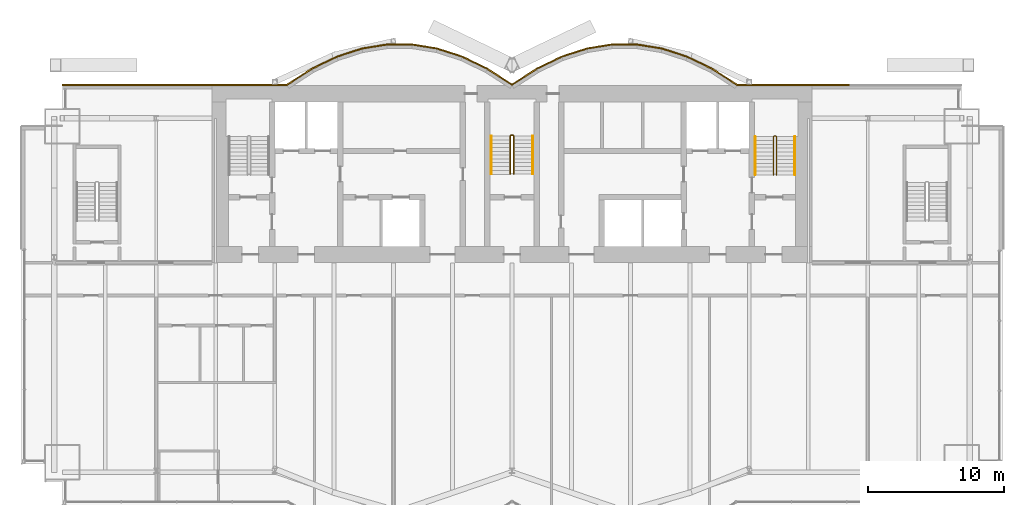
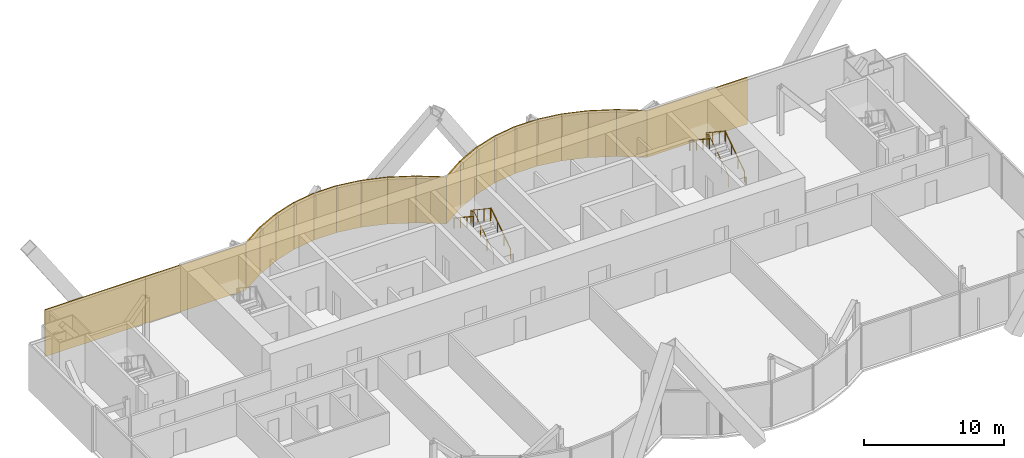
# One storey, part 19 of 20: 21 coverings, 6 railings.
"""IFC4 building model written with IfcOpenShell, lengths in metres."""

from ifc_helpers import new_model, si_unit, direction, frame, origin, origin_2d, place, context, subcontext, project, spatial, rectangle, circle, extrude, material, layer, layer_set, type_object, element, save


model = new_model("IFC4")

# Units and contexts
model_context = context("Model", 3, precision=1e-05, world=origin(), true_north=direction((0.0, 1.0)))
body_context = subcontext(model_context, "Body", "Model", "MODEL_VIEW")
ifc_project = project(units=[si_unit("LENGTHUNIT", "METRE"), si_unit("AREAUNIT", "SQUARE_METRE"), si_unit("VOLUMEUNIT", "CUBIC_METRE"), si_unit("PLANEANGLEUNIT", "RADIAN"), si_unit("MASSUNIT", "GRAM", prefix="KILO")], contexts=[model_context])

# Site, building, storey
site_placement = place(None, origin())
site = spatial("IfcSite", under=ifc_project, at=site_placement, CompositionType="ELEMENT")
building_placement = place(site_placement, origin())
building = spatial("IfcBuilding", under=site, at=building_placement, Name="Bicima Exchange Tower", CompositionType="ELEMENT")
storey_placement = place(building_placement, frame((0.0, 0.0, 231.89990234375)))
storey = spatial("IfcBuildingStorey", under=building, at=storey_placement, Name="L52", CompositionType="ELEMENT", Elevation=231.89990234375)

# Coverings
ifc_material_1 = material(Name="Bronze metal cladding")
ifc_layer_1 = layer(ifc_material_1, 0.004)
ifc_material_2 = material(Name="Ventilated cavity")
ifc_layer_2 = layer(ifc_material_2, 0.06)
ifc_material_3 = material(Name="Galvanised steel rail and mineral wool", Category="steel")
ifc_layer_3 = layer(ifc_material_3, 0.036)
ifc_layer_set = layer_set([ifc_layer_1, ifc_layer_2, ifc_layer_3], Name="Ventilated cavity")
covering_type = type_object("IfcCoveringType", Name="Bronze metal cladding panel 100", PredefinedType="CLADDING", material=ifc_layer_set)
covering_1_placement = place(storey_placement, frame((20.625, 0.050048828125, -0.14990234375), z_axis=(0.0, 0.0, 1.0), x_axis=(-1.0, 0.0, 0.0)))
element("IfcCovering", 1, at=covering_1_placement, inside=storey, type_object=covering_type, Name="Bronze cladding L52 1.2", PredefinedType="CLADDING", context=body_context, shape_type="SweptSolid", body=[
    extrude(rectangle(XDim=8.25, YDim=0.10009765625, at=origin_2d()), origin(), (0.0, 0.0, 1.0), 4.050048828125),
])
covering_2_placement = place(storey_placement, frame((15.610595703125, 0.634521484375, -0.14990234375), z_axis=(0.0, 0.0, 1.0), x_axis=(-0.839790466384, 0.542910648791, 0.0)))
element("IfcCovering", 2, at=covering_2_placement, inside=storey, type_object=covering_type, Name="Bronze cladding L52 2.1", PredefinedType="CLADDING", context=body_context, shape_type="SweptSolid", body=[
    extrude(rectangle(XDim=2.18310546875, YDim=0.10009765625, at=origin_2d()), origin(), (0.0, 0.0, 1.0), 4.050048828125),
])
covering_3_placement = place(storey_placement, frame((13.771728515625, 1.674560546875, -0.14990234375), z_axis=(0.0, 0.0, 1.0), x_axis=(-0.899818346812, 0.436264762204, 0.0)))
element("IfcCovering", 3, at=covering_3_placement, inside=storey, type_object=covering_type, Name="Bronze cladding L52 3.1", PredefinedType="CLADDING", context=body_context, shape_type="SweptSolid", body=[
    extrude(rectangle(XDim=2.03759765625, YDim=0.10009765625, at=origin_2d()), origin(), (0.0, 0.0, 1.0), 4.050048828125),
])
covering_4_placement = place(storey_placement, frame((11.931884765625, 2.41796875, -0.14990234375), z_axis=(0.0, 0.0, 1.0), x_axis=(-0.951524642381, 0.307572519808, 0.0)))
element("IfcCovering", 4, at=covering_4_placement, inside=storey, type_object=covering_type, Name="Bronze cladding L52 4.1", PredefinedType="CLADDING", context=body_context, shape_type="SweptSolid", body=[
    extrude(rectangle(XDim=1.9267578125, YDim=0.10009765625, at=origin_2d()), origin(), (0.0, 0.0, 1.0), 4.050048828125),
])
covering_5_placement = place(storey_placement, frame((10.09130859375, 2.8642578125, -0.14990234375), z_axis=(0.0, 0.0, 1.0), x_axis=(-0.987189786347, 0.159550386184, 0.0)))
element("IfcCovering", 5, at=covering_5_placement, inside=storey, type_object=covering_type, Name="Bronze cladding L52 5.1", PredefinedType="CLADDING", context=body_context, shape_type="SweptSolid", body=[
    extrude(rectangle(XDim=1.857177734375, YDim=0.10009765625, at=origin_2d()), origin(), (0.0, 0.0, 1.0), 4.050048828125),
])
covering_6_placement = place(storey_placement, frame((8.25, 3.012939453125, -0.14990234375), z_axis=(0.0, 0.0, 1.0), x_axis=(-1.0, 0.0, 0.0)))
element("IfcCovering", 6, at=covering_6_placement, inside=storey, type_object=covering_type, Name="Bronze cladding L52 6.1", PredefinedType="CLADDING", context=body_context, shape_type="SweptSolid", body=[
    extrude(rectangle(XDim=1.83349609375, YDim=0.10009765625, at=origin_2d()), origin(), (0.0, 0.0, 1.0), 4.050048828125),
])
covering_7_placement = place(storey_placement, frame((6.40869140625, 2.8642578125, -0.14990234375), z_axis=(0.0, 0.0, 1.0), x_axis=(-0.987189786347, -0.159550386184, 0.0)))
element("IfcCovering", 7, at=covering_7_placement, inside=storey, type_object=covering_type, Name="Bronze cladding L52 7.1", PredefinedType="CLADDING", context=body_context, shape_type="SweptSolid", body=[
    extrude(rectangle(XDim=1.857177734375, YDim=0.10009765625, at=origin_2d()), origin(), (0.0, 0.0, 1.0), 4.050048828125),
])
covering_8_placement = place(storey_placement, frame((4.568115234375, 2.41796875, -0.14990234375), z_axis=(0.0, 0.0, 1.0), x_axis=(-0.951524642381, -0.307572519808, 0.0)))
element("IfcCovering", 8, at=covering_8_placement, inside=storey, type_object=covering_type, Name="Bronze cladding L52 8.1", PredefinedType="CLADDING", context=body_context, shape_type="SweptSolid", body=[
    extrude(rectangle(XDim=1.9267578125, YDim=0.10009765625, at=origin_2d()), origin(), (0.0, 0.0, 1.0), 4.050048828125),
])
covering_9_placement = place(storey_placement, frame((2.728271484375, 1.674560546875, -0.14990234375), z_axis=(0.0, 0.0, 1.0), x_axis=(-0.899818346812, -0.436264762204, 0.0)))
element("IfcCovering", 9, at=covering_9_placement, inside=storey, type_object=covering_type, Name="Bronze cladding L52 9.1", PredefinedType="CLADDING", context=body_context, shape_type="SweptSolid", body=[
    extrude(rectangle(XDim=2.03759765625, YDim=0.10009765625, at=origin_2d()), origin(), (0.0, 0.0, 1.0), 4.050048828125),
])
for number, where, z_axis, x_axis, name in (
    (10, (0.889404296875, 0.634521484375, -0.14990234375), (0.0, 0.0, 1.0), (-0.839790466384, -0.542910648791, 0.0), "Bronze cladding L52 10.1"),
    (11, (-0.889404296875, 0.634521484375, -0.14990234375), (0.0, 0.0, 1.0), (-0.839790466384, 0.542910648791, 0.0), "Bronze cladding L52 11.1"),
):
    element("IfcCovering", number, at=place(storey_placement, frame(where, z_axis=z_axis, x_axis=x_axis)), inside=storey, type_object=covering_type, Name=name, PredefinedType="CLADDING", context=body_context, shape_type="SweptSolid", body=[
        extrude(rectangle(XDim=2.18310546875, YDim=0.10009765625, at=origin_2d()), origin(), (0.0, 0.0, 1.0), 4.050048828125),
    ])
covering_10_placement = place(storey_placement, frame((-2.728271484375, 1.674560546875, -0.14990234375), z_axis=(0.0, 0.0, 1.0), x_axis=(-0.899818346812, 0.436264762204, 0.0)))
element("IfcCovering", 12, at=covering_10_placement, inside=storey, type_object=covering_type, Name="Bronze cladding L52 12.1", PredefinedType="CLADDING", context=body_context, shape_type="SweptSolid", body=[
    extrude(rectangle(XDim=2.03759765625, YDim=0.10009765625, at=origin_2d()), origin(), (0.0, 0.0, 1.0), 4.050048828125),
])
covering_11_placement = place(storey_placement, frame((-4.568115234375, 2.41796875, -0.14990234375), z_axis=(0.0, 0.0, 1.0), x_axis=(-0.951524642381, 0.307572519808, 0.0)))
element("IfcCovering", 13, at=covering_11_placement, inside=storey, type_object=covering_type, Name="Bronze cladding L52 13.1", PredefinedType="CLADDING", context=body_context, shape_type="SweptSolid", body=[
    extrude(rectangle(XDim=1.9267578125, YDim=0.10009765625, at=origin_2d()), origin(), (0.0, 0.0, 1.0), 4.050048828125),
])
covering_12_placement = place(storey_placement, frame((-6.40869140625, 2.8642578125, -0.14990234375), z_axis=(0.0, 0.0, 1.0), x_axis=(-0.987189786347, 0.159550386184, 0.0)))
element("IfcCovering", 14, at=covering_12_placement, inside=storey, type_object=covering_type, Name="Bronze cladding L52 14.1", PredefinedType="CLADDING", context=body_context, shape_type="SweptSolid", body=[
    extrude(rectangle(XDim=1.857177734375, YDim=0.10009765625, at=origin_2d()), origin(), (0.0, 0.0, 1.0), 4.050048828125),
])
covering_13_placement = place(storey_placement, frame((-8.25, 3.012939453125, -0.14990234375), z_axis=(0.0, 0.0, 1.0), x_axis=(-1.0, 0.0, 0.0)))
element("IfcCovering", 15, at=covering_13_placement, inside=storey, type_object=covering_type, Name="Bronze cladding L52 15.1", PredefinedType="CLADDING", context=body_context, shape_type="SweptSolid", body=[
    extrude(rectangle(XDim=1.83349609375, YDim=0.10009765625, at=origin_2d()), origin(), (0.0, 0.0, 1.0), 4.050048828125),
])
covering_14_placement = place(storey_placement, frame((-10.09130859375, 2.8642578125, -0.14990234375), z_axis=(0.0, 0.0, 1.0), x_axis=(-0.987189786347, -0.159550386184, 0.0)))
element("IfcCovering", 16, at=covering_14_placement, inside=storey, type_object=covering_type, Name="Bronze cladding L52 16.1", PredefinedType="CLADDING", context=body_context, shape_type="SweptSolid", body=[
    extrude(rectangle(XDim=1.857177734375, YDim=0.10009765625, at=origin_2d()), origin(), (0.0, 0.0, 1.0), 4.050048828125),
])
covering_15_placement = place(storey_placement, frame((-11.931884765625, 2.41796875, -0.14990234375), z_axis=(0.0, 0.0, 1.0), x_axis=(-0.951524642381, -0.307572519808, 0.0)))
element("IfcCovering", 17, at=covering_15_placement, inside=storey, type_object=covering_type, Name="Bronze cladding L52 17.1", PredefinedType="CLADDING", context=body_context, shape_type="SweptSolid", body=[
    extrude(rectangle(XDim=1.9267578125, YDim=0.10009765625, at=origin_2d()), origin(), (0.0, 0.0, 1.0), 4.050048828125),
])
covering_16_placement = place(storey_placement, frame((-13.771728515625, 1.674560546875, -0.14990234375), z_axis=(0.0, 0.0, 1.0), x_axis=(-0.899818346812, -0.436264762204, 0.0)))
element("IfcCovering", 18, at=covering_16_placement, inside=storey, type_object=covering_type, Name="Bronze cladding L52 18.1", PredefinedType="CLADDING", context=body_context, shape_type="SweptSolid", body=[
    extrude(rectangle(XDim=2.03759765625, YDim=0.10009765625, at=origin_2d()), origin(), (0.0, 0.0, 1.0), 4.050048828125),
])
covering_17_placement = place(storey_placement, frame((-15.610595703125, 0.634521484375, -0.14990234375), z_axis=(0.0, 0.0, 1.0), x_axis=(-0.839790466384, -0.542910648791, 0.0)))
element("IfcCovering", 19, at=covering_17_placement, inside=storey, type_object=covering_type, Name="Bronze cladding L52 19.1", PredefinedType="CLADDING", context=body_context, shape_type="SweptSolid", body=[
    extrude(rectangle(XDim=2.18310546875, YDim=0.10009765625, at=origin_2d()), origin(), (0.0, 0.0, 1.0), 4.050048828125),
])
for number, where, z_axis, x_axis, name in (
    (20, (-20.625, 0.050048828125, -0.14990234375), (0.0, 0.0, 1.0), (-1.0, 0.0, 0.0), "Bronze cladding L52 20.1"),
    (21, (-28.875, 0.050048828125, -0.14990234375), (0.0, 0.0, 1.0), (-1.0, 0.0, 0.0), "Bronze cladding L52 20.2"),
):
    element("IfcCovering", number, at=place(storey_placement, frame(where, z_axis=z_axis, x_axis=x_axis)), inside=storey, type_object=covering_type, Name=name, PredefinedType="CLADDING", context=body_context, shape_type="SweptSolid", body=[
        extrude(rectangle(XDim=8.25, YDim=0.10009765625, at=origin_2d()), origin(), (0.0, 0.0, 1.0), 4.050048828125),
    ])

# Railings
ifc_material_4 = material(Name="Stainless steel", Category="steel")
railing_type_1 = type_object("IfcRailingType", Name="Stair guard 1100", PredefinedType="GUARDRAIL", material=ifc_material_4)
railing_1_placement = place(storey_placement, frame((0.125, -6.5, 0.1865234375)))
element("IfcRailing", 22, at=railing_1_placement, inside=storey, type_object=railing_type_1, Name="L52 ST-C stair guard 1", PredefinedType="GUARDRAIL", context=body_context, shape_type="SweptSolid", body=[
    extrude(circle(Radius=0.02392578125, at=origin_2d()), frame((0.0, 0.0, 1.076171875), z_axis=(0.0, 0.832485552168, 0.554046753832), x_axis=(-1.0, 0.0, 0.0)), (0.0, 0.0, 1.0), 3.363525390625),
    extrude(circle(Radius=0.02392578125, at=origin_2d()), frame((0.0, 2.800048828125, 2.939453125), z_axis=(-0.707106781187, 0.707106781187, 0.0), x_axis=(-0.707106781187, -0.707106781187, 0.0)), (0.0, 0.0, 1.0), 0.07080078125),
    extrude(circle(Radius=0.02392578125, at=origin_2d()), frame((-0.050048828125, 2.85009765625, 2.939453125), z_axis=(-1.0, 0.0, 0.0), x_axis=(0.0, -1.0, 0.0)), (0.0, 0.0, 1.0), 0.14990234375),
    extrude(circle(Radius=0.02392578125, at=origin_2d()), frame((-0.199951171875, 2.85009765625, 2.939453125), z_axis=(-0.250869701741, -0.250869701741, 0.934948546978), x_axis=(0.707106781187, -0.707106781187, 0.0)), (0.0, 0.0, 1.0), 0.199462890625),
    extrude(circle(Radius=0.02392578125, at=origin_2d()), frame((-0.25, 2.800048828125, 3.1259765625), z_axis=(0.0, -0.832485552168, 0.554046753832), x_axis=(1.0, 0.0, 0.0)), (0.0, 0.0, 1.0), 3.363525390625),
    extrude(circle(Radius=0.02099609375, at=origin_2d()), origin(), (0.0, 0.0, 1.0), 1.052001953125),
    extrude(circle(Radius=0.02099609375, at=origin_2d()), frame((0.0, 0.933349609375, 0.62109375)), (0.0, 0.0, 1.0), 1.052001953125),
    extrude(circle(Radius=0.02099609375, at=origin_2d()), frame((0.0, 1.86669921875, 1.242431640625)), (0.0, 0.0, 1.0), 1.052001953125),
    extrude(circle(Radius=0.02099609375, at=origin_2d()), frame((0.0, 2.800048828125, 1.863525390625)), (0.0, 0.0, 1.0), 1.052001953125),
    extrude(circle(Radius=0.02099609375, at=origin_2d()), frame((-0.050048828125, 2.85009765625, 1.863525390625)), (0.0, 0.0, 1.0), 1.052001953125),
    extrude(circle(Radius=0.02099609375, at=origin_2d()), frame((-0.199951171875, 2.85009765625, 1.863525390625)), (0.0, 0.0, 1.0), 1.052001953125),
    extrude(circle(Radius=0.02099609375, at=origin_2d()), frame((-0.25, 2.800048828125, 2.050048828125)), (0.0, 0.0, 1.0), 1.052001953125),
    extrude(circle(Radius=0.02099609375, at=origin_2d()), frame((-0.25, 1.86669921875, 2.671142578125)), (0.0, 0.0, 1.0), 1.052001953125),
    extrude(circle(Radius=0.02099609375, at=origin_2d()), frame((-0.25, 0.933349609375, 3.29248046875)), (0.0, 0.0, 1.0), 1.052001953125),
    extrude(circle(Radius=0.02099609375, at=origin_2d()), frame((-0.25, 0.0, 3.91357421875)), (0.0, 0.0, 1.0), 1.052001953125),
])
railing_2_placement = place(storey_placement, frame((19.39990234375, -6.550048828125, 0.1865234375)))
element("IfcRailing", 23, at=railing_2_placement, inside=storey, type_object=railing_type_1, Name="L52 ST-E stair guard 1", PredefinedType="GUARDRAIL", context=body_context, shape_type="SweptSolid", body=[
    extrude(circle(Radius=0.02392578125, at=origin_2d()), frame((0.0, 0.0, 1.076171875), z_axis=(0.0, 0.832485552168, 0.554046753832), x_axis=(-1.0, 0.0, 0.0)), (0.0, 0.0, 1.0), 3.363525390625),
    extrude(circle(Radius=0.02392578125, at=origin_2d()), frame((0.0, 2.800048828125, 2.939453125), z_axis=(-0.705375805398, 0.708833529934, 0.0), x_axis=(-0.708833529934, -0.705375805398, 0.0)), (0.0, 0.0, 1.0), 0.070556640625),
    extrude(circle(Radius=0.02392578125, at=origin_2d()), frame((-0.0498046875, 2.85009765625, 2.939453125), z_axis=(-1.0, 0.0, 0.0), x_axis=(0.0, -1.0, 0.0)), (0.0, 0.0, 1.0), 0.10009765625),
    extrude(circle(Radius=0.02392578125, at=origin_2d()), frame((-0.14990234375, 2.85009765625, 2.939453125), z_axis=(-0.250869701741, -0.250869701741, 0.934948546978), x_axis=(0.707106781187, -0.707106781187, 0.0)), (0.0, 0.0, 1.0), 0.199462890625),
    extrude(circle(Radius=0.02392578125, at=origin_2d()), frame((-0.199951171875, 2.800048828125, 3.1259765625), z_axis=(0.0, -0.832485552168, 0.554046753832), x_axis=(1.0, 0.0, 0.0)), (0.0, 0.0, 1.0), 3.363525390625),
    extrude(circle(Radius=0.02099609375, at=origin_2d()), origin(), (0.0, 0.0, 1.0), 1.052001953125),
    extrude(circle(Radius=0.02099609375, at=origin_2d()), frame((0.0, 0.933349609375, 0.62109375)), (0.0, 0.0, 1.0), 1.052001953125),
    extrude(circle(Radius=0.02099609375, at=origin_2d()), frame((0.0, 1.86669921875, 1.242431640625)), (0.0, 0.0, 1.0), 1.052001953125),
    extrude(circle(Radius=0.02099609375, at=origin_2d()), frame((0.0, 2.800048828125, 1.863525390625)), (0.0, 0.0, 1.0), 1.052001953125),
    extrude(circle(Radius=0.02099609375, at=origin_2d()), frame((-0.0498046875, 2.85009765625, 1.863525390625)), (0.0, 0.0, 1.0), 1.052001953125),
    extrude(circle(Radius=0.02099609375, at=origin_2d()), frame((-0.14990234375, 2.85009765625, 1.863525390625)), (0.0, 0.0, 1.0), 1.052001953125),
    extrude(circle(Radius=0.02099609375, at=origin_2d()), frame((-0.199951171875, 2.800048828125, 2.050048828125)), (0.0, 0.0, 1.0), 1.052001953125),
    extrude(circle(Radius=0.02099609375, at=origin_2d()), frame((-0.199951171875, 1.86669921875, 2.671142578125)), (0.0, 0.0, 1.0), 1.052001953125),
    extrude(circle(Radius=0.02099609375, at=origin_2d()), frame((-0.199951171875, 0.933349609375, 3.29248046875)), (0.0, 0.0, 1.0), 1.052001953125),
    extrude(circle(Radius=0.02099609375, at=origin_2d()), frame((-0.199951171875, 0.0, 3.91357421875)), (0.0, 0.0, 1.0), 1.052001953125),
])
railing_type_2 = type_object("IfcRailingType", Name="Stair handrail 900", PredefinedType="HANDRAIL", material=ifc_material_4)
railing_3_placement = place(storey_placement, frame((1.52490234375, -6.5, 0.1865234375)))
element("IfcRailing", 24, at=railing_3_placement, inside=storey, type_object=railing_type_2, Name="L52 ST-C stair handrail 1", PredefinedType="HANDRAIL", context=body_context, shape_type="SweptSolid", body=[
    extrude(circle(Radius=0.02392578125, at=origin_2d()), frame((0.0, 0.0, 0.8759765625), z_axis=(0.0, 0.832485552168, 0.554046753832), x_axis=(-1.0, 0.0, 0.0)), (0.0, 0.0, 1.0), 3.363525390625),
    extrude(circle(Radius=0.02099609375, at=origin_2d()), origin(), (0.0, 0.0, 1.0), 0.851806640625),
    extrude(circle(Radius=0.02099609375, at=origin_2d()), frame((0.0, 0.933349609375, 0.62109375)), (0.0, 0.0, 1.0), 0.851806640625),
    extrude(circle(Radius=0.02099609375, at=origin_2d()), frame((0.0, 1.86669921875, 1.242431640625)), (0.0, 0.0, 1.0), 0.851806640625),
    extrude(circle(Radius=0.02099609375, at=origin_2d()), frame((0.0, 2.800048828125, 1.863525390625)), (0.0, 0.0, 1.0), 0.851806640625),
])
railing_4_placement = place(storey_placement, frame((-1.52490234375, -3.699951171875, 2.236572265625)))
element("IfcRailing", 25, at=railing_4_placement, inside=storey, type_object=railing_type_2, Name="L52 ST-C stair handrail 2", PredefinedType="HANDRAIL", context=body_context, shape_type="SweptSolid", body=[
    extrude(circle(Radius=0.02392578125, at=origin_2d()), frame((0.0, 0.0, 0.8759765625), z_axis=(0.0, -0.832485552168, 0.554046753832), x_axis=(1.0, 0.0, 0.0)), (0.0, 0.0, 1.0), 3.363525390625),
    extrude(circle(Radius=0.02099609375, at=origin_2d()), origin(), (0.0, 0.0, 1.0), 0.851806640625),
    extrude(circle(Radius=0.02099609375, at=origin_2d()), frame((0.0, -0.933349609375, 0.62109375)), (0.0, 0.0, 1.0), 0.851806640625),
    extrude(circle(Radius=0.02099609375, at=origin_2d()), frame((0.0, -1.86669921875, 1.242431640625)), (0.0, 0.0, 1.0), 0.851806640625),
    extrude(circle(Radius=0.02099609375, at=origin_2d()), frame((0.0, -2.800048828125, 1.863525390625)), (0.0, 0.0, 1.0), 0.851806640625),
])
railing_5_placement = place(storey_placement, frame((20.75, -6.550048828125, 0.1865234375)))
element("IfcRailing", 26, at=railing_5_placement, inside=storey, type_object=railing_type_2, Name="L52 ST-E stair handrail 1", PredefinedType="HANDRAIL", context=body_context, shape_type="SweptSolid", body=[
    extrude(circle(Radius=0.02392578125, at=origin_2d()), frame((0.0, 0.0, 0.8759765625), z_axis=(0.0, 0.832485552168, 0.554046753832), x_axis=(-1.0, 0.0, 0.0)), (0.0, 0.0, 1.0), 3.363525390625),
    extrude(circle(Radius=0.02099609375, at=origin_2d()), origin(), (0.0, 0.0, 1.0), 0.851806640625),
    extrude(circle(Radius=0.02099609375, at=origin_2d()), frame((0.0, 0.933349609375, 0.62109375)), (0.0, 0.0, 1.0), 0.851806640625),
    extrude(circle(Radius=0.02099609375, at=origin_2d()), frame((0.0, 1.86669921875, 1.242431640625)), (0.0, 0.0, 1.0), 0.851806640625),
    extrude(circle(Radius=0.02099609375, at=origin_2d()), frame((0.0, 2.800048828125, 1.863525390625)), (0.0, 0.0, 1.0), 0.851806640625),
])
railing_6_placement = place(storey_placement, frame((17.85009765625, -3.75, 2.236572265625)))
element("IfcRailing", 27, at=railing_6_placement, inside=storey, type_object=railing_type_2, Name="L52 ST-E stair handrail 2", PredefinedType="HANDRAIL", context=body_context, shape_type="SweptSolid", body=[
    extrude(circle(Radius=0.02392578125, at=origin_2d()), frame((0.0, 0.0, 0.8759765625), z_axis=(0.0, -0.832485552168, 0.554046753832), x_axis=(1.0, 0.0, 0.0)), (0.0, 0.0, 1.0), 3.363525390625),
    extrude(circle(Radius=0.02099609375, at=origin_2d()), origin(), (0.0, 0.0, 1.0), 0.851806640625),
    extrude(circle(Radius=0.02099609375, at=origin_2d()), frame((0.0, -0.933349609375, 0.62109375)), (0.0, 0.0, 1.0), 0.851806640625),
    extrude(circle(Radius=0.02099609375, at=origin_2d()), frame((0.0, -1.86669921875, 1.242431640625)), (0.0, 0.0, 1.0), 0.851806640625),
    extrude(circle(Radius=0.02099609375, at=origin_2d()), frame((0.0, -2.800048828125, 1.863525390625)), (0.0, 0.0, 1.0), 0.851806640625),
])

save(model, "model.ifc")
